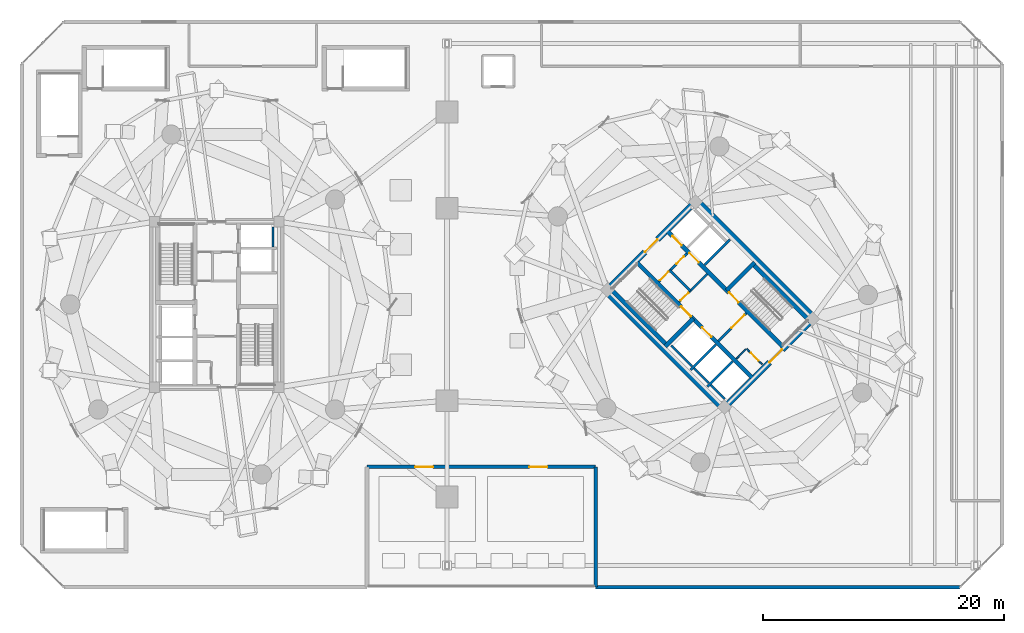
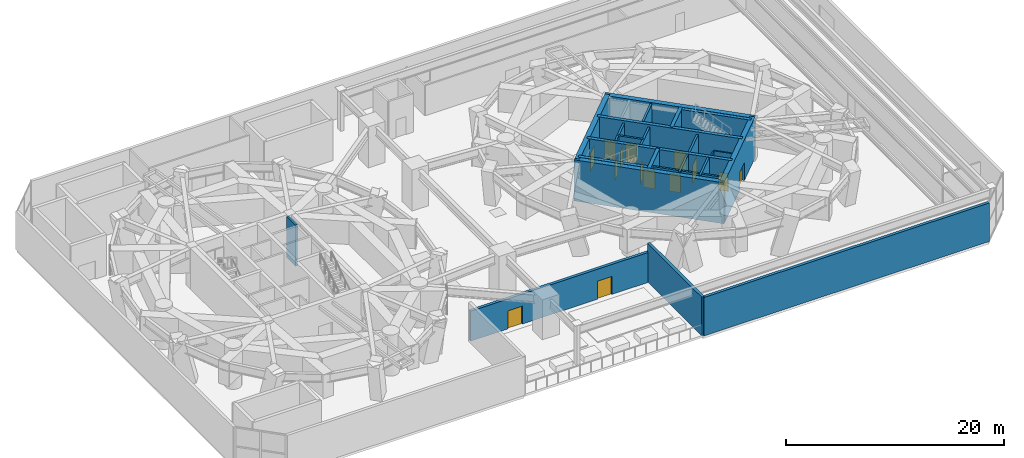
# One storey, part 18 of 25: 26 walls, 14 doors, 14 openings.
"""IFC4 building model written with IfcOpenShell, lengths in metres."""

from ifc_helpers import new_model, si_unit, direction, frame, frame_2d, origin, place, context, subcontext, project, spatial, rectangle, extrude, source, transform, mapped, material, layer, layer_set, type_object, element, fill, save


model = new_model("IFC4")

# Units and contexts
model_context = context("Model", 3, precision=1e-05, world=origin(), true_north=direction((0.0, 1.0)))
body_context = subcontext(model_context, "Body", "Model", "MODEL_VIEW")
ifc_project = project(units=[si_unit("LENGTHUNIT", "METRE"), si_unit("AREAUNIT", "SQUARE_METRE"), si_unit("VOLUMEUNIT", "CUBIC_METRE"), si_unit("PLANEANGLEUNIT", "RADIAN"), si_unit("MASSUNIT", "GRAM", prefix="KILO")], contexts=[model_context])

# Site, building, storey
site_placement = place(None, origin())
site = spatial("IfcSite", under=ifc_project, at=site_placement, CompositionType="ELEMENT")
building_placement = place(site_placement, origin())
building = spatial("IfcBuilding", under=site, at=building_placement, Name="Cununo Teusaquillo Station Towers", CompositionType="ELEMENT")
storey_placement = place(building_placement, frame((0.0, 0.0, 17.39990234375)))
storey = spatial("IfcBuildingStorey", under=building, at=storey_placement, Name="L04", CompositionType="ELEMENT", Elevation=17.39990234375)

# Walls
ifc_material_1 = material(Name="Concrete C50/60", Category="concrete")
ifc_layer_1 = layer(ifc_material_1, 0.199951171875)
ifc_layer_set_1 = layer_set([ifc_layer_1], Name="Concrete C50/60")
wall_type_1 = type_object("IfcWallType", Name="WL-CORE-200", PredefinedType="SHEAR", material=ifc_layer_set_1)
wall_1_placement = place(storey_placement, frame((21.179931640625, 29.294921875, 0.0), z_axis=(0.0, 0.0, 1.0), x_axis=(0.0, 1.0, 0.0)))
element("IfcWall", 1, at=wall_1_placement, inside=storey, type_object=wall_type_1, Name="L04 Tower A Low-Rise Lift 2 Shaft Rear Shear Wall", PredefinedType="SHEAR", context=body_context, shape_type="SweptSolid", body=[
    extrude(rectangle(XDim=1.635009765625, YDim=0.199951171875, at=frame_2d((0.8173828125, 0.0))), origin(), (0.0, 0.0, 1.0), 4.60009765625),
])
wall_2_placement = place(storey_placement, frame((55.8876953125, 19.0693359375, 0.0), z_axis=(0.0, 0.0, 1.0), x_axis=(0.707106781187, 0.707106781187, 0.0)))
element("IfcWall", 2, at=wall_2_placement, inside=storey, type_object=wall_type_1, Name="L04 Tower B Firefighting Lift Shaft South Shear Wall", PredefinedType="SHEAR", context=body_context, shape_type="SweptSolid", body=[
    extrude(rectangle(XDim=2.969970703125, YDim=0.199951171875, at=frame_2d((1.48486328125, 0.0))), origin(), (0.0, 0.0, 1.0), 4.60009765625),
])
wall_3_placement = place(storey_placement, frame((56.01513671875, 19.366455078125, 0.0), z_axis=(0.0, 0.0, 1.0), x_axis=(-0.707106781187, 0.707106781187, 0.0)))
element("IfcWall", 3, at=wall_3_placement, inside=storey, type_object=wall_type_1, Name="L04 Tower B Firefighting Lift Shaft Rear Shear Wall", PredefinedType="SHEAR", context=body_context, shape_type="SweptSolid", body=[
    extrude(rectangle(XDim=2.43994140625, YDim=0.199951171875, at=frame_2d((1.219970703125, 0.0))), origin(), (0.0, 0.0, 1.0), 4.60009765625),
])
wall_4_placement = place(storey_placement, frame((57.2841796875, 17.6728515625, 0.0), z_axis=(0.0, 0.0, 1.0), x_axis=(0.707147878904, 0.70706568108, 0.0)))
element("IfcWall", 4, at=wall_4_placement, inside=storey, type_object=wall_type_1, Name="L04 Tower B High-Rise Lift Hoistway Divider Shear Wall", PredefinedType="SHEAR", context=body_context, shape_type="SweptSolid", body=[
    extrude(rectangle(XDim=2.97021484375, YDim=0.199951171875, at=frame_2d((1.485107421875, 0.0))), origin(), (0.0, 0.0, 1.0), 4.60009765625),
])
wall_5_placement = place(storey_placement, frame((57.41162109375, 17.969970703125, 0.0), z_axis=(0.0, 0.0, 1.0), x_axis=(-0.707106781187, 0.707106781187, 0.0)))
element("IfcWall", 5, at=wall_5_placement, inside=storey, type_object=wall_type_1, Name="L04 Tower B High-Rise Lift 2 Shaft Rear Shear Wall", PredefinedType="SHEAR", context=body_context, shape_type="SweptSolid", body=[
    extrude(rectangle(XDim=1.73486328125, YDim=0.199951171875, at=frame_2d((0.867431640625, 0.0))), origin(), (0.0, 0.0, 1.0), 4.60009765625),
])
wall_6_placement = place(storey_placement, frame((58.7373046875, 16.64404296875, 0.0), z_axis=(0.0, 0.0, 1.0), x_axis=(-0.707032117043, 0.707181437447, 0.0)))
element("IfcWall", 6, at=wall_6_placement, inside=storey, type_object=wall_type_1, Name="L04 Tower B High-Rise Lift 1 Shaft Rear Shear Wall", PredefinedType="SHEAR", context=body_context, shape_type="SweptSolid", body=[
    extrude(rectangle(XDim=1.635009765625, YDim=0.199951171875, at=frame_2d((0.8173828125, 0.0))), origin(), (0.0, 0.0, 1.0), 4.60009765625),
])
wall_7_placement = place(storey_placement, frame((57.0615234375, 27.781005859375, 0.0), z_axis=(0.0, 0.0, 1.0), x_axis=(0.707106781187, 0.707106781187, 0.0)))
element("IfcWall", 7, at=wall_7_placement, inside=storey, type_object=wall_type_1, Name="L04 Tower B Low-Rise Lift Hoistway South Shear Wall", PredefinedType="SHEAR", context=body_context, shape_type="SweptSolid", body=[
    extrude(rectangle(XDim=2.969970703125, YDim=0.199951171875, at=frame_2d((1.48486328125, 0.0))), origin(), (0.0, 0.0, 1.0), 4.60009765625),
])

# Wall, openings, doors
ifc_material_2 = material(Name="Concrete C50/60", Category="concrete")
ifc_layer_2 = layer(ifc_material_2, 0.35009765625)
ifc_layer_set_2 = layer_set([ifc_layer_2], Name="Concrete C50/60")
wall_type_2 = type_object("IfcWallType", Name="WL-CORE-350", PredefinedType="SHEAR", material=ifc_layer_set_2)
wall_8_placement = place(storey_placement, frame((61.095703125, 18.337646484375, 0.0), z_axis=(0.0, 0.0, 1.0), x_axis=(-0.707106781187, 0.707106781187, 0.0)))
wall_8 = element("IfcWall", 8, at=wall_8_placement, inside=storey, type_object=wall_type_2, Name="L04 Tower B Core Shear Wall IW", PredefinedType="SHEAR", context=body_context, shape_type="SweptSolid", body=[
    extrude(rectangle(XDim=13.800048828125, YDim=0.35009765625, at=frame_2d((6.89990234375, 0.0))), origin(), (0.0, 0.0, 1.0), 4.60009765625),
])
shared_shape_1 = source(origin(), body_context, "Body", "SweptSolid", [
    extrude(rectangle(XDim=1.10009765625, YDim=2.014892578125, at=frame_2d((0.550048828125, 1.00732421875))), frame((0.0, 0.18505859375, 0.0), z_axis=(0.0, -1.0, 0.0), x_axis=(1.0, 0.0, 0.0)), (0.0, 0.0, 1.0), 0.3701171875),
])
opening_1_placement = place(wall_8_placement, frame((4.89990234375, 0.0, 0.0)))
opening_1 = element("IfcOpeningElement", 9, at=opening_1_placement, cuts=wall_8, Name="Opening LD-01", PredefinedType="OPENING", context=body_context, shape_type="MappedRepresentation", body=[
    mapped(shared_shape_1, transform((0.0, 0.0, 0.0), x_axis=(1.0, 0.0, 0.0), y_axis=(0.0, 1.0, 0.0), z_axis=(0.0, 0.0, 1.0), scale=1.0)),
])
shared_shape_2 = source(origin(), body_context, "Body", "SweptSolid", [
    extrude(rectangle(XDim=1.14990234375, YDim=2.02001953125, at=frame_2d((0.574951171875, 1.010009765625))), frame((0.0, 0.18505859375, 0.0), z_axis=(0.0, -1.0, 0.0), x_axis=(1.0, 0.0, 0.0)), (0.0, 0.0, 1.0), 0.3701171875),
])
opening_2_placement = place(wall_8_placement, frame((7.320068359375, 0.0, 0.0)))
opening_2 = element("IfcOpeningElement", 10, at=opening_2_placement, cuts=wall_8, Name="Opening D-ST1", PredefinedType="OPENING", context=body_context, shape_type="MappedRepresentation", body=[
    mapped(shared_shape_2, transform((0.0, 0.0, 0.0), x_axis=(1.0, 0.0, 0.0), y_axis=(0.0, 1.0, 0.0), z_axis=(0.0, 0.0, 1.0), scale=1.0)),
])
ifc_material_3 = material(Name="Galvanised fire-rated hollow steel door assembly", Category="steel")
door_type_1 = type_object("IfcDoorType", Name="DR-LIFT-1100", OperationType="SLIDING_TO_LEFT", PredefinedType="DOOR", material=ifc_material_3)
shared_shape_3 = source(origin(), body_context, "Body", "SweptSolid", [
    extrude(rectangle(XDim=1.10009765625, YDim=2.014892578125, at=frame_2d((0.550048828125, 1.00732421875))), frame((0.0, 0.02490234375, 0.0), z_axis=(0.0, -1.0, 0.0), x_axis=(1.0, 0.0, 0.0)), (0.0, 0.0, 1.0), 0.050048828125),
])
door_1_placement = place(opening_1_placement, origin())
door_1 = element("IfcDoor", 11, at=door_1_placement, inside=storey, type_object=door_type_1, Name="L04 Lift FL-T2 Sliding Landing Door", OperationType="SLIDING_TO_RIGHT", OverallHeight=2.014892578125, OverallWidth=1.10009765625, PredefinedType="DOOR", context=body_context, shape_type="MappedRepresentation", body=[
    mapped(shared_shape_3, transform((0.0, 0.0, 0.0), x_axis=(1.0, 0.0, 0.0), y_axis=(0.0, 1.0, 0.0), z_axis=(0.0, 0.0, 1.0), scale=1.0)),
])
fill(opening_1, door_1)
ifc_material_4 = material(Name="Galvanised fire-rated hollow steel door assembly", Category="steel")
door_type_2 = type_object("IfcDoorType", Name="DR-STAIR-1150", OperationType="NOTDEFINED", PredefinedType="DOOR", material=ifc_material_4)
shared_shape_4 = source(origin(), body_context, "Body", "SweptSolid", [
    extrude(rectangle(XDim=1.14990234375, YDim=2.02001953125, at=frame_2d((0.574951171875, 1.010009765625))), frame((0.0, 0.02490234375, 0.0), z_axis=(0.0, -1.0, 0.0), x_axis=(1.0, 0.0, 0.0)), (0.0, 0.0, 1.0), 0.050048828125),
])
door_2_placement = place(opening_2_placement, origin())
door_2 = element("IfcDoor", 12, at=door_2_placement, inside=storey, type_object=door_type_2, Name="L04 Tower B Exit Stair 1 Fire Door", OperationType="SINGLE_SWING_LEFT", OverallHeight=2.02001953125, OverallWidth=1.14990234375, PredefinedType="DOOR", context=body_context, shape_type="MappedRepresentation", body=[
    mapped(shared_shape_4, transform((0.0, 0.0, 0.0), x_axis=(1.0, 0.0, 0.0), y_axis=(0.0, 1.0, 0.0), z_axis=(0.0, 0.0, 1.0), scale=1.0)),
])
fill(opening_2, door_2)

wall_9_placement = place(storey_placement, frame((63.662353515625, 20.904296875, 0.0), z_axis=(0.0, 0.0, 1.0), x_axis=(-0.707106781187, 0.707106781187, 0.0)))
wall_9 = element("IfcWall", 13, at=wall_9_placement, inside=storey, type_object=wall_type_2, Name="L04 Tower B Core Shear Wall IE", PredefinedType="SHEAR", context=body_context, shape_type="SweptSolid", body=[
    extrude(rectangle(XDim=13.800048828125, YDim=0.35009765625, at=frame_2d((6.89990234375, 0.0))), origin(), (0.0, 0.0, 1.0), 4.60009765625),
])
opening_3_placement = place(wall_9_placement, frame((10.02490234375, 0.0, 0.0)))
opening_3 = element("IfcOpeningElement", 14, at=opening_3_placement, cuts=wall_9, Name="Opening LD-01", PredefinedType="OPENING", context=body_context, shape_type="MappedRepresentation", body=[
    mapped(shared_shape_1, transform((0.0, 0.0, 0.0), x_axis=(1.0, 0.0, 0.0), y_axis=(0.0, 1.0, 0.0), z_axis=(0.0, 0.0, 1.0), scale=1.0)),
])
opening_4_placement = place(wall_9_placement, frame((12.02490234375, 0.0, 0.0)))
opening_4 = element("IfcOpeningElement", 15, at=opening_4_placement, cuts=wall_9, Name="Opening LD-01", PredefinedType="OPENING", context=body_context, shape_type="MappedRepresentation", body=[
    mapped(shared_shape_1, transform((0.0, 0.0, 0.0), x_axis=(1.0, 0.0, 0.0), y_axis=(0.0, 1.0, 0.0), z_axis=(0.0, 0.0, 1.0), scale=1.0)),
])
opening_5_placement = place(wall_9_placement, frame((5.330078125, 0.0, 0.0)))
opening_5 = element("IfcOpeningElement", 16, at=opening_5_placement, cuts=wall_9, Name="Opening D-ST1", PredefinedType="OPENING", context=body_context, shape_type="MappedRepresentation", body=[
    mapped(shared_shape_2, transform((0.0, 0.0, 0.0), x_axis=(1.0, 0.0, 0.0), y_axis=(0.0, 1.0, 0.0), z_axis=(0.0, 0.0, 1.0), scale=1.0)),
])
door_3_placement = place(opening_3_placement, origin())
door_3 = element("IfcDoor", 17, at=door_3_placement, inside=storey, type_object=door_type_1, Name="L04 Lift PL-T2-L1 Sliding Landing Door", OperationType="SLIDING_TO_LEFT", OverallHeight=2.014892578125, OverallWidth=1.10009765625, PredefinedType="DOOR", context=body_context, shape_type="MappedRepresentation", body=[
    mapped(shared_shape_3, transform((0.0, 0.0, 0.0), x_axis=(1.0, 0.0, 0.0), y_axis=(0.0, 1.0, 0.0), z_axis=(0.0, 0.0, 1.0), scale=1.0)),
])
fill(opening_3, door_3)
door_4_placement = place(opening_4_placement, origin())
door_4 = element("IfcDoor", 18, at=door_4_placement, inside=storey, type_object=door_type_1, Name="L04 Lift PL-T2-L2 Sliding Landing Door", OperationType="SLIDING_TO_RIGHT", OverallHeight=2.014892578125, OverallWidth=1.10009765625, PredefinedType="DOOR", context=body_context, shape_type="MappedRepresentation", body=[
    mapped(shared_shape_3, transform((0.0, 0.0, 0.0), x_axis=(1.0, 0.0, 0.0), y_axis=(0.0, 1.0, 0.0), z_axis=(0.0, 0.0, 1.0), scale=1.0)),
])
fill(opening_4, door_4)
door_5_placement = place(opening_5_placement, origin())
door_5 = element("IfcDoor", 19, at=door_5_placement, inside=storey, type_object=door_type_2, Name="L04 Tower B Exit Stair 2 Fire Door", OperationType="SINGLE_SWING_RIGHT", OverallHeight=2.02001953125, OverallWidth=1.14990234375, PredefinedType="DOOR", context=body_context, shape_type="MappedRepresentation", body=[
    mapped(shared_shape_4, transform((0.0, 0.0, 0.0), x_axis=(1.0, 0.0, 0.0), y_axis=(0.0, 1.0, 0.0), z_axis=(0.0, 0.0, 1.0), scale=1.0)),
])
fill(opening_5, door_5)

# Walls
wall_10_placement = place(storey_placement, frame((53.922119140625, 21.14111328125, 0.0), z_axis=(0.0, 0.0, 1.0), x_axis=(-0.707106781187, 0.707106781187, 0.0)))
element("IfcWall", 20, at=wall_10_placement, inside=storey, type_object=wall_type_2, Name="L04 Tower B Core Shear Wall ST1W", PredefinedType="SHEAR", context=body_context, shape_type="SweptSolid", body=[
    extrude(rectangle(XDim=6.7451171875, YDim=0.35009765625, at=frame_2d((3.37255859375, 0.0))), origin(), (0.0, 0.0, 1.0), 4.60009765625),
])
wall_11_placement = place(storey_placement, frame((53.7841796875, 21.00341796875, 0.0), z_axis=(0.0, 0.0, 1.0), x_axis=(0.707106781187, 0.707106781187, 0.0)))
element("IfcWall", 21, at=wall_11_placement, inside=storey, type_object=wall_type_2, Name="L04 Tower B Core Shear Wall ST1S", PredefinedType="SHEAR", context=body_context, shape_type="SweptSolid", body=[
    extrude(rectangle(XDim=3.284912109375, YDim=0.35009765625, at=frame_2d((1.642578125, 0.0))), origin(), (0.0, 0.0, 1.0), 4.60009765625),
])
wall_12_placement = place(storey_placement, frame((65.847412109375, 23.08935546875, 0.0), z_axis=(0.0, 0.0, 1.0), x_axis=(-0.707106781187, 0.707106781187, 0.0)))
element("IfcWall", 22, at=wall_12_placement, inside=storey, type_object=wall_type_2, Name="L04 Tower B Core Shear Wall ST2E", PredefinedType="SHEAR", context=body_context, shape_type="SweptSolid", body=[
    extrude(rectangle(XDim=6.7451171875, YDim=0.35009765625, at=frame_2d((3.37255859375, 0.0))), origin(), (0.0, 0.0, 1.0), 4.60009765625),
])
wall_13_placement = place(storey_placement, frame((58.89306640625, 25.673828125, 0.0), z_axis=(0.0, 0.0, 1.0), x_axis=(0.707106781187, 0.707106781187, 0.0)))
element("IfcWall", 23, at=wall_13_placement, inside=storey, type_object=wall_type_2, Name="L04 Tower B Core Shear Wall ST2N", PredefinedType="SHEAR", context=body_context, shape_type="SweptSolid", body=[
    extrude(rectangle(XDim=3.284912109375, YDim=0.35009765625, at=frame_2d((1.642578125, 0.0))), origin(), (0.0, 0.0, 1.0), 4.60009765625),
])
ifc_material_5 = material(Name="Concrete C60/75", Category="concrete")
ifc_layer_3 = layer(ifc_material_5, 0.5)
ifc_layer_set_3 = layer_set([ifc_layer_3], Name="Concrete C60/75")
wall_type_3 = type_object("IfcWallType", Name="WL-CORE-500", PredefinedType="SHEAR", material=ifc_layer_set_3)
for number, where, z_axis, x_axis, name in (
    (24, (58.772705078125, 15.6611328125, 0.0), (0.0, 0.0, 1.0), (-0.707106781187, 0.707106781187, 0.0), "L04 Tower B Core Shear Wall W"),
    (25, (66.3388671875, 23.227294921875, 0.0), (0.0, 0.0, 1.0), (-0.707106781187, 0.707106781187, 0.0), "L04 Tower B Core Shear Wall E"),
):
    element("IfcWall", number, at=place(storey_placement, frame(where, z_axis=z_axis, x_axis=x_axis)), inside=storey, type_object=wall_type_3, Name=name, PredefinedType="SHEAR", context=body_context, shape_type="SweptSolid", body=[
        extrude(rectangle(XDim=14.2998046875, YDim=0.5, at=frame_2d((7.14990234375, 0.0))), origin(), (0.0, 0.0, 1.0), 4.60009765625),
    ])

# Wall, opening, door
wall_14_placement = place(storey_placement, frame((58.595947265625, 15.837890625, 0.0), z_axis=(0.0, 0.0, 1.0), x_axis=(0.707106781187, 0.707106781187, 0.0)))
wall_14 = element("IfcWall", 26, at=wall_14_placement, inside=storey, type_object=wall_type_3, Name="L04 Tower B Core Shear Wall S", PredefinedType="SHEAR", context=body_context, shape_type="SweptSolid", body=[
    extrude(rectangle(XDim=10.7001953125, YDim=0.5, at=frame_2d((5.35009765625, 0.0))), origin(), (0.0, 0.0, 1.0), 4.60009765625),
])
shared_shape_5 = source(origin(), body_context, "Body", "SweptSolid", [
    extrude(rectangle(XDim=1.5, YDim=2.02001953125, at=frame_2d((0.75, 1.010009765625))), frame((0.0, 0.260009765625, 0.0), z_axis=(0.0, -1.0, 0.0), x_axis=(1.0, 0.0, 0.0)), (0.0, 0.0, 1.0), 0.52001953125),
])
opening_6_placement = place(wall_14_placement, frame((5.449951171875, 0.0, 0.0)))
opening_6 = element("IfcOpeningElement", 27, at=opening_6_placement, cuts=wall_14, Name="Opening D-LB1", PredefinedType="OPENING", context=body_context, shape_type="MappedRepresentation", body=[
    mapped(shared_shape_5, transform((0.0, 0.0, 0.0), x_axis=(1.0, 0.0, 0.0), y_axis=(0.0, 1.0, 0.0), z_axis=(0.0, 0.0, 1.0), scale=1.0)),
])
ifc_material_6 = material(Name="Galvanised fire-rated hollow steel door assembly", Category="steel")
door_type_3 = type_object("IfcDoorType", Name="DR-LOBBY-1500", OperationType="DOUBLE_DOOR_SINGLE_SWING", PredefinedType="DOOR", material=ifc_material_6)
shared_shape_6 = source(origin(), body_context, "Body", "SweptSolid", [
    extrude(rectangle(XDim=1.5, YDim=2.02001953125, at=frame_2d((0.75, 1.010009765625))), frame((0.0, 0.02490234375, 0.0), z_axis=(0.0, -1.0, 0.0), x_axis=(1.0, 0.0, 0.0)), (0.0, 0.0, 1.0), 0.050048828125),
])
door_6_placement = place(opening_6_placement, origin())
door_6 = element("IfcDoor", 28, at=door_6_placement, inside=storey, type_object=door_type_3, Name="L04 Tower B South Core Lift Lobby Door", OperationType="DOUBLE_DOOR_SINGLE_SWING", OverallHeight=2.02001953125, OverallWidth=1.5, PredefinedType="DOOR", context=body_context, shape_type="MappedRepresentation", body=[
    mapped(shared_shape_6, transform((0.0, 0.0, 0.0), x_axis=(1.0, 0.0, 0.0), y_axis=(0.0, 1.0, 0.0), z_axis=(0.0, 0.0, 1.0), scale=1.0)),
])
fill(opening_6, door_6)

wall_15_placement = place(storey_placement, frame((48.837890625, 25.595947265625, 0.0), z_axis=(0.0, 0.0, 1.0), x_axis=(0.707106781187, 0.707106781187, 0.0)))
wall_15 = element("IfcWall", 29, at=wall_15_placement, inside=storey, type_object=wall_type_3, Name="L04 Tower B Core Shear Wall N", PredefinedType="SHEAR", context=body_context, shape_type="SweptSolid", body=[
    extrude(rectangle(XDim=10.7001953125, YDim=0.5, at=frame_2d((5.35009765625, 0.0))), origin(), (0.0, 0.0, 1.0), 4.60009765625),
])
opening_7_placement = place(wall_15_placement, frame((4.60009765625, 0.0, 0.0)))
opening_7 = element("IfcOpeningElement", 30, at=opening_7_placement, cuts=wall_15, Name="Opening D-LB1", PredefinedType="OPENING", context=body_context, shape_type="MappedRepresentation", body=[
    mapped(shared_shape_5, transform((0.0, 0.0, 0.0), x_axis=(1.0, 0.0, 0.0), y_axis=(0.0, 1.0, 0.0), z_axis=(0.0, 0.0, 1.0), scale=1.0)),
])
door_7_placement = place(opening_7_placement, origin())
door_7 = element("IfcDoor", 31, at=door_7_placement, inside=storey, type_object=door_type_3, Name="L04 Tower B North Core Lift Lobby Door", OperationType="DOUBLE_DOOR_SINGLE_SWING", OverallHeight=2.02001953125, OverallWidth=1.5, PredefinedType="DOOR", context=body_context, shape_type="MappedRepresentation", body=[
    mapped(shared_shape_6, transform((0.0, 0.0, 0.0), x_axis=(1.0, 0.0, 0.0), y_axis=(0.0, 1.0, 0.0), z_axis=(0.0, 0.0, 1.0), scale=1.0)),
])
fill(opening_7, door_7)

# Walls
ifc_material_7 = material(Name="Precast concrete C40/50", Category="concrete")
ifc_layer_4 = layer(ifc_material_7, 0.300048828125)
ifc_layer_set_4 = layer_set([ifc_layer_4], Name="Precast concrete C40/50")
wall_type_4 = type_object("IfcWallType", Name="WL-EXT-300", PredefinedType="SOLIDWALL", material=ifc_layer_set_4)
wall_16_placement = place(storey_placement, frame((78.300048828125, 1.0, 0.0), z_axis=(0.0, 0.0, 1.0), x_axis=(-1.0, 0.0, 0.0)))
element("IfcWall", 32, at=wall_16_placement, inside=storey, type_object=wall_type_4, Name="L04 Podium Exterior Wall SE", PredefinedType="SOLIDWALL", context=body_context, shape_type="SweptSolid", body=[
    extrude(rectangle(XDim=30.300048828125, YDim=0.300048828125, at=frame_2d((15.14990234375, 0.0))), origin(), (0.0, 0.0, 1.0), 4.3251953125),
])
wall_17_placement = place(storey_placement, frame((48.0, 1.0, 0.0), z_axis=(0.0, 0.0, 1.0), x_axis=(0.0, 1.0, 0.0)))
element("IfcWall", 33, at=wall_17_placement, inside=storey, type_object=wall_type_4, Name="L04 Podium Exterior Wall TRE", PredefinedType="SOLIDWALL", context=body_context, shape_type="SweptSolid", body=[
    extrude(rectangle(XDim=10.0, YDim=0.300048828125, at=frame_2d((5.0, 0.0))), origin(), (0.0, 0.0, 1.0), 4.3251953125),
])

# Wall, openings, doors
wall_18_placement = place(storey_placement, frame((48.0, 11.0, 0.0), z_axis=(0.0, 0.0, 1.0), x_axis=(-1.0, 0.0, 0.0)))
wall_18 = element("IfcWall", 34, at=wall_18_placement, inside=storey, type_object=wall_type_4, Name="L04 Podium Exterior Wall TRM", PredefinedType="SOLIDWALL", context=body_context, shape_type="SweptSolid", body=[
    extrude(rectangle(XDim=19.0, YDim=0.300048828125, at=frame_2d((9.5, 0.0))), origin(), (0.0, 0.0, 1.0), 3.364013671875),
])
shared_shape_7 = source(origin(), body_context, "Body", "SweptSolid", [
    extrude(rectangle(XDim=1.5, YDim=2.014892578125, at=frame_2d((0.75, 1.00732421875))), frame((0.0, 0.159912109375, 0.0), z_axis=(0.0, -1.0, 0.0), x_axis=(1.0, 0.0, 0.0)), (0.0, 0.0, 1.0), 0.320068359375),
])
opening_8_placement = place(wall_18_placement, frame((4.0, 0.0, 0.0)))
opening_8 = element("IfcOpeningElement", 35, at=opening_8_placement, cuts=wall_18, Name="Opening ED-04", PredefinedType="OPENING", context=body_context, shape_type="MappedRepresentation", body=[
    mapped(shared_shape_7, transform((0.0, 0.0, 0.0), x_axis=(1.0, 0.0, 0.0), y_axis=(0.0, 1.0, 0.0), z_axis=(0.0, 0.0, 1.0), scale=1.0)),
])
opening_9_placement = place(wall_18_placement, frame((13.5, 0.0, 0.0)))
opening_9 = element("IfcOpeningElement", 36, at=opening_9_placement, cuts=wall_18, Name="Opening ED-04", PredefinedType="OPENING", context=body_context, shape_type="MappedRepresentation", body=[
    mapped(shared_shape_7, transform((0.0, 0.0, 0.0), x_axis=(1.0, 0.0, 0.0), y_axis=(0.0, 1.0, 0.0), z_axis=(0.0, 0.0, 1.0), scale=1.0)),
])
ifc_material_8 = material(Name="Anodised dark bronze aluminium EN AW-6063-T6", Category="aluminium")
door_type_4 = type_object("IfcDoorType", Name="DR-EXT-TERR", OperationType="DOUBLE_DOOR_SINGLE_SWING", PredefinedType="DOOR", material=ifc_material_8)
shared_shape_8 = source(origin(), body_context, "Body", "SweptSolid", [
    extrude(rectangle(XDim=1.5, YDim=2.014892578125, at=frame_2d((0.75, 1.00732421875))), frame((0.0, 0.02490234375, 0.0), z_axis=(0.0, -1.0, 0.0), x_axis=(1.0, 0.0, 0.0)), (0.0, 0.0, 1.0), 0.050048828125),
])
door_8_placement = place(opening_8_placement, origin())
door_8 = element("IfcDoor", 37, at=door_8_placement, inside=storey, type_object=door_type_4, Name="L04 Podium Roof Terrace Access Door 1", OperationType="DOUBLE_DOOR_SINGLE_SWING", OverallHeight=2.014892578125, OverallWidth=1.5, PredefinedType="DOOR", context=body_context, shape_type="MappedRepresentation", body=[
    mapped(shared_shape_8, transform((0.0, 0.0, 0.0), x_axis=(1.0, 0.0, 0.0), y_axis=(0.0, 1.0, 0.0), z_axis=(0.0, 0.0, 1.0), scale=1.0)),
])
fill(opening_8, door_8)
door_9_placement = place(opening_9_placement, origin())
door_9 = element("IfcDoor", 38, at=door_9_placement, inside=storey, type_object=door_type_4, Name="L04 Podium Roof Terrace Access Door 2", OperationType="DOUBLE_DOOR_SINGLE_SWING", OverallHeight=2.014892578125, OverallWidth=1.5, PredefinedType="DOOR", context=body_context, shape_type="MappedRepresentation", body=[
    mapped(shared_shape_8, transform((0.0, 0.0, 0.0), x_axis=(1.0, 0.0, 0.0), y_axis=(0.0, 1.0, 0.0), z_axis=(0.0, 0.0, 1.0), scale=1.0)),
])
fill(opening_9, door_9)

# Wall, opening, door
ifc_material_9 = material(Name="Fire-rated gypsum plasterboard partition assembly", Category="gypsum")
ifc_layer_5 = layer(ifc_material_9, 0.125)
ifc_layer_set_5 = layer_set([ifc_layer_5], Name="Fire-rated gypsum plasterboard partition assembly")
wall_type_5 = type_object("IfcWallType", Name="WL-PART-125", PredefinedType="PARTITIONING", material=ifc_layer_set_5)
wall_19_placement = place(storey_placement, frame((61.834716796875, 19.529052734375, 0.0), z_axis=(0.0, 0.0, 1.0), x_axis=(-0.707174592913, 0.707038962956, 0.0)))
wall_19 = element("IfcWall", 39, at=wall_19_placement, inside=storey, type_object=wall_type_5, Name="L04 Tower B South-West Compact Store East Wall", PredefinedType="PARTITIONING", context=body_context, shape_type="SweptSolid", body=[
    extrude(rectangle(XDim=1.800048828125, YDim=0.125, at=frame_2d((0.89990234375, 0.0))), origin(), (0.0, 0.0, 1.0), 4.3251953125),
])
shared_shape_9 = source(origin(), body_context, "Body", "SweptSolid", [
    extrude(rectangle(XDim=0.89990234375, YDim=2.0048828125, at=frame_2d((0.449951171875, 1.00244140625))), frame((0.0, 0.072509765625, 0.0), z_axis=(0.0, -1.0, 0.0), x_axis=(1.0, 0.0, 0.0)), (0.0, 0.0, 1.0), 0.14501953125),
])
opening_10_placement = place(wall_19_placement, frame((0.419921875, 0.0, 0.0)))
opening_10 = element("IfcOpeningElement", 40, at=opening_10_placement, cuts=wall_19, Name="Opening D-SR1", PredefinedType="OPENING", context=body_context, shape_type="MappedRepresentation", body=[
    mapped(shared_shape_9, transform((0.0, 0.0, 0.0), x_axis=(1.0, 0.0, 0.0), y_axis=(0.0, 1.0, 0.0), z_axis=(0.0, 0.0, 1.0), scale=1.0)),
])
ifc_material_10 = material(Name="Galvanised fire-rated hollow steel door assembly", Category="steel")
door_type_5 = type_object("IfcDoorType", Name="DR-STORE-900", OperationType="NOTDEFINED", PredefinedType="DOOR", material=ifc_material_10)
shared_shape_10 = source(origin(), body_context, "Body", "SweptSolid", [
    extrude(rectangle(XDim=0.89990234375, YDim=2.0048828125, at=frame_2d((0.449951171875, 1.00244140625))), frame((0.0, 0.02490234375, 0.0), z_axis=(0.0, -1.0, 0.0), x_axis=(1.0, 0.0, 0.0)), (0.0, 0.0, 1.0), 0.050048828125),
])
door_10_placement = place(opening_10_placement, origin())
door_10 = element("IfcDoor", 41, at=door_10_placement, inside=storey, type_object=door_type_5, Name="L04 Tower B Core Electrical & Comms Store Door", OperationType="SINGLE_SWING_LEFT", OverallHeight=2.0048828125, OverallWidth=0.89990234375, PredefinedType="DOOR", context=body_context, shape_type="MappedRepresentation", body=[
    mapped(shared_shape_10, transform((0.0, 0.0, 0.0), x_axis=(1.0, 0.0, 0.0), y_axis=(0.0, 1.0, 0.0), z_axis=(0.0, 0.0, 1.0), scale=1.0)),
])
fill(opening_10, door_10)

# Wall
wall_20_placement = place(storey_placement, frame((59.713134765625, 19.99560546875, 0.0), z_axis=(0.0, 0.0, 1.0), x_axis=(0.707217726, 0.706995818963, 0.0)))
element("IfcWall", 42, at=wall_20_placement, inside=storey, type_object=wall_type_5, Name="L04 Tower B South-West Compact Store North Wall", PredefinedType="PARTITIONING", context=body_context, shape_type="SweptSolid", body=[
    extrude(rectangle(XDim=1.10009765625, YDim=0.125, at=frame_2d((0.550048828125, 0.0))), origin(), (0.0, 0.0, 1.0), 4.3251953125),
])

# Wall, opening, door
ifc_material_11 = material(Name="Fire-rated gypsum plasterboard partition assembly", Category="gypsum")
ifc_layer_6 = layer(ifc_material_11, 0.199951171875)
ifc_layer_set_6 = layer_set([ifc_layer_6], Name="Fire-rated gypsum plasterboard partition assembly")
wall_type_6 = type_object("IfcWallType", Name="WL-PART-200", PredefinedType="PARTITIONING", material=ifc_layer_set_6)
wall_21_placement = place(storey_placement, frame((58.214111328125, 21.466552734375, 0.0), z_axis=(0.0, 0.0, 1.0), x_axis=(0.707106781187, 0.707106781187, 0.0)))
wall_21 = element("IfcWall", 43, at=wall_21_placement, inside=storey, type_object=wall_type_6, Name="L04 Tower B Firefighting Lift Lobby South Fire Wall", PredefinedType="PARTITIONING", context=body_context, shape_type="SweptSolid", body=[
    extrude(rectangle(XDim=3.280029296875, YDim=0.199951171875, at=frame_2d((1.64013671875, 0.0))), origin(), (0.0, 0.0, 1.0), 4.3251953125),
])
shared_shape_11 = source(origin(), body_context, "Body", "SweptSolid", [
    extrude(rectangle(XDim=1.5, YDim=2.02001953125, at=frame_2d((0.75, 1.010009765625))), frame((0.0, 0.10986328125, 0.0), z_axis=(0.0, -1.0, 0.0), x_axis=(1.0, 0.0, 0.0)), (0.0, 0.0, 1.0), 0.219970703125),
])
opening_11_placement = place(wall_21_placement, frame((1.550048828125, 0.0, 0.0)))
opening_11 = element("IfcOpeningElement", 44, at=opening_11_placement, cuts=wall_21, Name="Opening D-LB1", PredefinedType="OPENING", context=body_context, shape_type="MappedRepresentation", body=[
    mapped(shared_shape_11, transform((0.0, 0.0, 0.0), x_axis=(1.0, 0.0, 0.0), y_axis=(0.0, 1.0, 0.0), z_axis=(0.0, 0.0, 1.0), scale=1.0)),
])
door_11_placement = place(opening_11_placement, origin())
door_11 = element("IfcDoor", 45, at=door_11_placement, inside=storey, type_object=door_type_3, Name="L04 Tower B Firefighting Lift Lobby South Fire Door", OperationType="DOUBLE_DOOR_SINGLE_SWING", OverallHeight=2.02001953125, OverallWidth=1.5, PredefinedType="DOOR", context=body_context, shape_type="MappedRepresentation", body=[
    mapped(shared_shape_6, transform((0.0, 0.0, 0.0), x_axis=(1.0, 0.0, 0.0), y_axis=(0.0, 1.0, 0.0), z_axis=(0.0, 0.0, 1.0), scale=1.0)),
])
fill(opening_11, door_11)

wall_22_placement = place(storey_placement, frame((54.96142578125, 24.71923828125, 0.0), z_axis=(0.0, 0.0, 1.0), x_axis=(0.707106781187, 0.707106781187, 0.0)))
wall_22 = element("IfcWall", 46, at=wall_22_placement, inside=storey, type_object=wall_type_6, Name="L04 Tower B Firefighting Lift Lobby North Fire Wall", PredefinedType="PARTITIONING", context=body_context, shape_type="SweptSolid", body=[
    extrude(rectangle(XDim=3.280029296875, YDim=0.199951171875, at=frame_2d((1.64013671875, 0.0))), origin(), (0.0, 0.0, 1.0), 4.3251953125),
])
shared_shape_12 = source(origin(), body_context, "Body", "SweptSolid", [
    extrude(rectangle(XDim=0.89990234375, YDim=2.0048828125, at=frame_2d((0.449951171875, 1.00244140625))), frame((0.0, 0.10986328125, 0.0), z_axis=(0.0, -1.0, 0.0), x_axis=(1.0, 0.0, 0.0)), (0.0, 0.0, 1.0), 0.219970703125),
])
opening_12_placement = place(wall_22_placement, frame((0.159912109375, 0.0, 0.0)))
opening_12 = element("IfcOpeningElement", 47, at=opening_12_placement, cuts=wall_22, Name="Opening D-SR1", PredefinedType="OPENING", context=body_context, shape_type="MappedRepresentation", body=[
    mapped(shared_shape_12, transform((0.0, 0.0, 0.0), x_axis=(1.0, 0.0, 0.0), y_axis=(0.0, 1.0, 0.0), z_axis=(0.0, 0.0, 1.0), scale=1.0)),
])
door_12_placement = place(opening_12_placement, origin())
door_12 = element("IfcDoor", 48, at=door_12_placement, inside=storey, type_object=door_type_5, Name="L04 Tower B Stair 1 Protected Vestibule South Door", OperationType="SINGLE_SWING_LEFT", OverallHeight=2.0048828125, OverallWidth=0.89990234375, PredefinedType="DOOR", context=body_context, shape_type="MappedRepresentation", body=[
    mapped(shared_shape_10, transform((0.0, 0.0, 0.0), x_axis=(1.0, 0.0, 0.0), y_axis=(0.0, 1.0, 0.0), z_axis=(0.0, 0.0, 1.0), scale=1.0)),
])
fill(opening_12, door_12)

# Wall
wall_23_placement = place(storey_placement, frame((55.873779296875, 25.63134765625, 0.0), z_axis=(0.0, 0.0, 1.0), x_axis=(-0.707157639372, 0.707055919343, 0.0)))
element("IfcWall", 49, at=wall_23_placement, inside=storey, type_object=wall_type_6, Name="L04 Tower B Stair 1 Vestibule Partition Wall", PredefinedType="PARTITIONING", context=body_context, shape_type="SweptSolid", body=[
    extrude(rectangle(XDim=2.400146484375, YDim=0.199951171875, at=frame_2d((1.2001953125, 0.0))), origin(), (0.0, 0.0, 1.0), 4.3251953125),
])

# Wall, openings, doors
wall_24_placement = place(storey_placement, frame((53.264404296875, 26.416259765625, 0.0), z_axis=(0.0, 0.0, 1.0), x_axis=(0.707106781187, 0.707106781187, 0.0)))
wall_24 = element("IfcWall", 50, at=wall_24_placement, inside=storey, type_object=wall_type_6, Name="L04 Tower B North Lift Lobby South Fire Wall", PredefinedType="PARTITIONING", context=body_context, shape_type="SweptSolid", body=[
    extrude(rectangle(XDim=3.280029296875, YDim=0.199951171875, at=frame_2d((1.64013671875, 0.0))), origin(), (0.0, 0.0, 1.0), 4.3251953125),
])
shared_shape_13 = source(origin(), body_context, "Body", "SweptSolid", [
    extrude(rectangle(XDim=1.0, YDim=2.014892578125, at=frame_2d((0.5, 1.00732421875))), frame((0.0, 0.10986328125, 0.0), z_axis=(0.0, -1.0, 0.0), x_axis=(1.0, 0.0, 0.0)), (0.0, 0.0, 1.0), 0.219970703125),
])
opening_13_placement = place(wall_24_placement, frame((0.139892578125, 0.0, 0.0)))
opening_13 = element("IfcOpeningElement", 51, at=opening_13_placement, cuts=wall_24, Name="Opening D-AC1", PredefinedType="OPENING", context=body_context, shape_type="MappedRepresentation", body=[
    mapped(shared_shape_13, transform((0.0, 0.0, 0.0), x_axis=(1.0, 0.0, 0.0), y_axis=(0.0, 1.0, 0.0), z_axis=(0.0, 0.0, 1.0), scale=1.0)),
])
opening_14_placement = place(wall_24_placement, frame((2.050048828125, 0.0, 0.0)))
opening_14 = element("IfcOpeningElement", 52, at=opening_14_placement, cuts=wall_24, Name="Opening D-SR1", PredefinedType="OPENING", context=body_context, shape_type="MappedRepresentation", body=[
    mapped(shared_shape_12, transform((0.0, 0.0, 0.0), x_axis=(1.0, 0.0, 0.0), y_axis=(0.0, 1.0, 0.0), z_axis=(0.0, 0.0, 1.0), scale=1.0)),
])
door_13_placement = place(opening_14_placement, origin())
door_13 = element("IfcDoor", 53, at=door_13_placement, inside=storey, type_object=door_type_5, Name="L04 Tower B Core Housekeeping & Linen Store Door", OperationType="SINGLE_SWING_RIGHT", OverallHeight=2.0048828125, OverallWidth=0.89990234375, PredefinedType="DOOR", context=body_context, shape_type="MappedRepresentation", body=[
    mapped(shared_shape_10, transform((0.0, 0.0, 0.0), x_axis=(1.0, 0.0, 0.0), y_axis=(0.0, 1.0, 0.0), z_axis=(0.0, 0.0, 1.0), scale=1.0)),
])
fill(opening_14, door_13)
ifc_material_12 = material(Name="Acoustic solid-core hardwood leaf assembly", Category="wood")
door_type_6 = type_object("IfcDoorType", Name="DR-ACC-1000", OperationType="NOTDEFINED", PredefinedType="DOOR", material=ifc_material_12)
shared_shape_14 = source(origin(), body_context, "Body", "SweptSolid", [
    extrude(rectangle(XDim=1.0, YDim=2.014892578125, at=frame_2d((0.5, 1.00732421875))), frame((0.0, 0.02490234375, 0.0), z_axis=(0.0, -1.0, 0.0), x_axis=(1.0, 0.0, 0.0)), (0.0, 0.0, 1.0), 0.050048828125),
])
door_14_placement = place(opening_13_placement, origin())
door_14 = element("IfcDoor", 54, at=door_14_placement, inside=storey, type_object=door_type_6, Name="L04 Tower B North Lift Lobby to Stair 1 Vestibule Door", OperationType="SINGLE_SWING_RIGHT", OverallHeight=2.014892578125, OverallWidth=1.0, PredefinedType="DOOR", context=body_context, shape_type="MappedRepresentation", body=[
    mapped(shared_shape_14, transform((0.0, 0.0, 0.0), x_axis=(1.0, 0.0, 0.0), y_axis=(0.0, 1.0, 0.0), z_axis=(0.0, 0.0, 1.0), scale=1.0)),
])
fill(opening_13, door_14)

save(model, "model.ifc")
